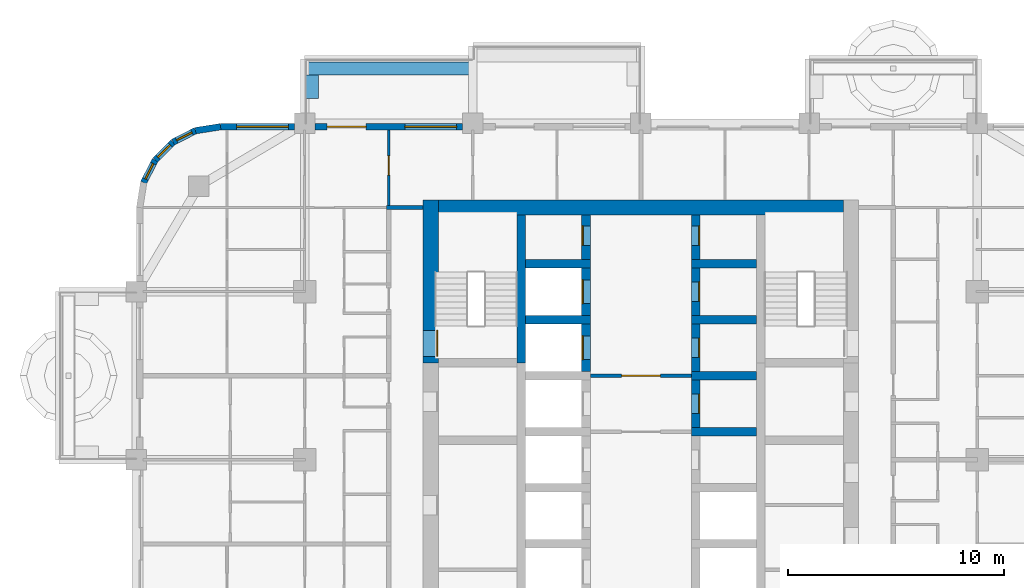
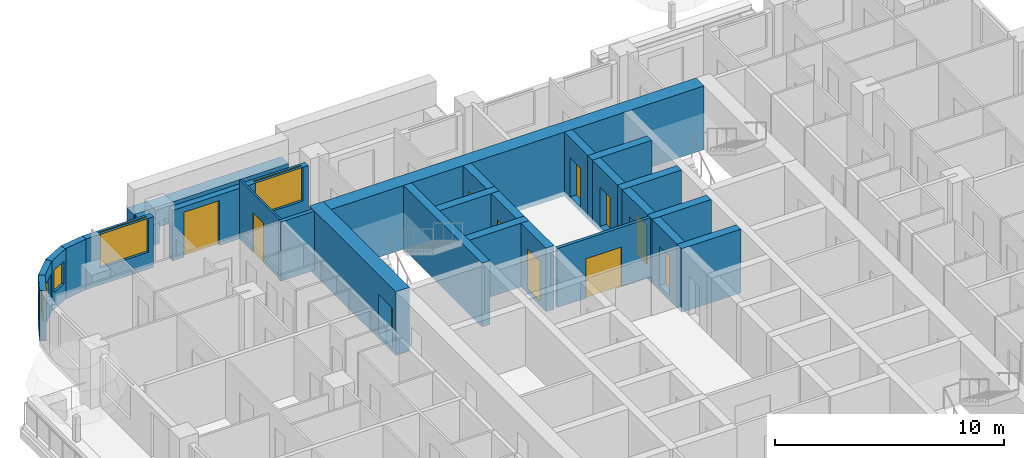
# One storey, part 11 of 19: 27 walls, 11 doors, 5 windows, 16 openings.
"""IFC4 building model written with IfcOpenShell, lengths in metres."""

from ifc_helpers import new_model, si_unit, direction, frame, frame_2d, origin, place, context, subcontext, project, spatial, rectangle, extrude, material, layer, layer_set, type_object, element, fill, save


model = new_model("IFC4")

# Units and contexts
model_context = context("Model", 3, precision=1e-05, world=origin(), true_north=direction((0.0, 1.0)))
body_context = subcontext(model_context, "Body", "Model", "MODEL_VIEW")
ifc_project = project(units=[si_unit("LENGTHUNIT", "METRE"), si_unit("AREAUNIT", "SQUARE_METRE"), si_unit("VOLUMEUNIT", "CUBIC_METRE"), si_unit("PLANEANGLEUNIT", "RADIAN"), si_unit("MASSUNIT", "GRAM", prefix="KILO")], contexts=[model_context])

# Site, building, storey
site_placement = place(None, origin())
site = spatial("IfcSite", under=ifc_project, at=site_placement, CompositionType="ELEMENT")
building_placement = place(site_placement, origin())
building = spatial("IfcBuilding", under=site, at=building_placement, Name="Ludao Terraces", CompositionType="ELEMENT")
storey_placement = place(building_placement, frame((0.0, 0.0, 68.199951171875)))
storey = spatial("IfcBuildingStorey", under=building, at=storey_placement, Name="L18", CompositionType="ELEMENT", Elevation=68.199951171875)

# Wall, opening, door
ifc_material_1 = material(Name="Concrete C70", Category="concrete")
ifc_layer_1 = layer(ifc_material_1, 0.699951171875)
ifc_layer_set_1 = layer_set([ifc_layer_1], Name="Core wall 700 C70")
wall_type_1 = type_object("IfcWallType", Name="Core wall 700 C70", PredefinedType="SOLIDWALL", material=ifc_layer_set_1)
wall_1_placement = place(storey_placement, frame((75.25, 77.300048828125, -0.25), z_axis=(0.0, 0.0, 1.0), x_axis=(0.0, 1.0, 0.0)))
wall_1 = element("IfcWall", 1, at=wall_1_placement, inside=storey, type_object=wall_type_1, Name="Core wall L18 outer-W-S1", PredefinedType="SOLIDWALL", context=body_context, shape_type="SweptSolid", body=[
    extrude(rectangle(XDim=7.550048828125, YDim=0.699951171875, at=frame_2d((3.77490234375, 0.0))), origin(), (0.0, 0.0, 1.0), 3.400146484375),
])
opening_1_placement = place(wall_1_placement, frame((0.300048828125, 0.0, 0.25)))
opening_1 = element("IfcOpeningElement", 2, at=opening_1_placement, cuts=wall_1, Name="Opening R05-135", PredefinedType="OPENING", context=body_context, shape_type="SweptSolid", body=[
    extrude(rectangle(XDim=1.199951171875, YDim=2.10009765625, at=frame_2d((0.60009765625, 1.050048828125))), frame((0.0, 0.35986328125, 0.0), z_axis=(0.0, -1.0, 0.0), x_axis=(1.0, 0.0, 0.0)), (0.0, 0.0, 1.0), 0.719970703125),
])
ifc_material_2 = material(Name="Steel Q235", Category="steel")
door_type_1 = type_object("IfcDoorType", Name="INT Stair door 1200", OperationType="DOUBLE_DOOR_SINGLE_SWING", PredefinedType="DOOR", material=ifc_material_2)
door_1_placement = place(opening_1_placement, origin())
door_1 = element("IfcDoor", 3, at=door_1_placement, inside=storey, type_object=door_type_1, Name="DOOR 135", OperationType="DOUBLE_DOOR_SINGLE_SWING", OverallHeight=2.10009765625, OverallWidth=1.199951171875, PredefinedType="DOOR", context=body_context, shape_type="SweptSolid", body=[
    extrude(rectangle(XDim=1.199951171875, YDim=2.10009765625, at=frame_2d((0.60009765625, 1.050048828125))), frame((0.0, -0.28515625, 0.0), z_axis=(0.0, -1.0, 0.0), x_axis=(1.0, 0.0, 0.0)), (0.0, 0.0, 1.0), 0.050048828125),
])
fill(opening_1, door_1)

# Walls
wall_2_placement = place(storey_placement, frame((75.60009765625, 84.5, -0.25), z_axis=(0.0, 0.0, 1.0), x_axis=(1.0, 0.0, 0.0)))
element("IfcWall", 4, at=wall_2_placement, inside=storey, type_object=wall_type_1, Name="Core wall L18 outer-N", PredefinedType="SOLIDWALL", context=body_context, shape_type="SweptSolid", body=[
    extrude(rectangle(XDim=18.7998046875, YDim=0.699951171875, at=frame_2d((9.39990234375, 0.0))), origin(), (0.0, 0.0, 1.0), 3.400146484375),
])
ifc_material_3 = material(Name="Concrete C40", Category="concrete")
ifc_layer_2 = layer(ifc_material_3, 0.60009765625)
ifc_layer_set_2 = layer_set([ifc_layer_2], Name="ENV Planter trough 600")
wall_type_2 = type_object("IfcWallType", Name="ENV Planter trough 600", PredefinedType="USERDEFINED", material=ifc_layer_set_2)
wall_3_placement = place(storey_placement, frame((69.39990234375, 90.949951171875, 0.0), z_axis=(0.0, 0.0, 1.0), x_axis=(1.0, 0.0, 0.0)))
element("IfcWall", 5, at=wall_3_placement, inside=storey, type_object=wall_type_2, Name="PL-L18-N1", ObjectType="PLANTER", PredefinedType="USERDEFINED", context=body_context, shape_type="SweptSolid", body=[
    extrude(rectangle(XDim=7.800048828125, YDim=0.60009765625, at=frame_2d((3.89990234375, 0.0))), origin(), (0.0, 0.0, 1.0), 1.10009765625),
])
wall_4_placement = place(storey_placement, frame((69.75, 90.64990234375, 0.0), z_axis=(0.0, 0.0, 1.0), x_axis=(0.0, -1.0, 0.0)))
element("IfcWall", 6, at=wall_4_placement, inside=storey, type_object=wall_type_2, Name="PL-L18-N1-SA", ObjectType="PLANTER", PredefinedType="USERDEFINED", context=body_context, shape_type="SweptSolid", body=[
    extrude(rectangle(XDim=1.099853515625, YDim=0.60009765625, at=frame_2d((0.5498046875, 0.0))), origin(), (0.0, 0.0, 1.0), 1.10009765625),
])

# Wall, opening, window
ifc_material_4 = material(Name="Granite cladding", Category="masonry")
ifc_layer_3 = layer(ifc_material_4, 0.0400390625, Category="stone")
ifc_material_5 = material(Name="Mineral wool")
ifc_layer_4 = layer(ifc_material_5, 0.06005859375)
ifc_layer_5 = layer(ifc_material_3, 0.199951171875, Category="concrete")
ifc_layer_set_3 = layer_set([ifc_layer_3, ifc_layer_4, ifc_layer_5], Name="ENV Stone-clad wall 300")
wall_type_3 = type_object("IfcWallType", Name="ENV Stone-clad wall 300", PredefinedType="SOLIDWALL", material=ifc_layer_set_3)
wall_5_placement = place(storey_placement, frame((65.5, 88.25, 0.0), z_axis=(0.0, 0.0, 1.0), x_axis=(1.0, 0.0, 0.0)))
wall_5 = element("IfcWall", 7, at=wall_5_placement, inside=storey, type_object=wall_type_3, Name="EW-L18-N1", PredefinedType="SOLIDWALL", context=body_context, shape_type="SweptSolid", body=[
    extrude(rectangle(XDim=3.425048828125, YDim=0.300048828125, at=frame_2d((1.71240234375, 0.0))), origin(), (0.0, 0.0, 1.0), 2.699951171875),
])
opening_2_placement = place(wall_5_placement, frame((0.75, 0.0, 0.89990234375)))
opening_2 = element("IfcOpeningElement", 8, at=opening_2_placement, cuts=wall_5, Name="Opening W1", PredefinedType="OPENING", context=body_context, shape_type="SweptSolid", body=[
    extrude(rectangle(XDim=2.39990234375, YDim=1.800048828125, at=frame_2d((1.199951171875, 0.89990234375))), frame((0.0, 0.16015625, 0.0), z_axis=(0.0, -1.0, 0.0), x_axis=(1.0, 0.0, 0.0)), (0.0, 0.0, 1.0), 0.320068359375),
])
ifc_material_6 = material(Name="Clear glass in aluminium frame", Category="aluminium")
ifc_layer_6 = layer(ifc_material_6, 0.06005859375)
ifc_layer_set_4 = layer_set([ifc_layer_6], Name="ENV Window W1 2400x1800")
window_type_1 = type_object("IfcWindowType", Name="ENV Window W1 2400x1800", PartitioningType="DOUBLE_PANEL_VERTICAL", PredefinedType="WINDOW", material=ifc_layer_set_4)
window_1_placement = place(opening_2_placement, origin())
window_1 = element("IfcWindow", 9, at=window_1_placement, inside=storey, type_object=window_type_1, Name="W-L18-N1-1", OverallHeight=1.800048828125, OverallWidth=2.39990234375, PartitioningType="DOUBLE_PANEL_VERTICAL", PredefinedType="WINDOW", context=body_context, shape_type="SweptSolid", body=[
    extrude(rectangle(XDim=2.39990234375, YDim=1.800048828125, at=frame_2d((1.199951171875, 0.89990234375))), frame((0.0, 0.030029296875, 0.0), z_axis=(0.0, -1.0, 0.0), x_axis=(1.0, 0.0, 0.0)), (0.0, 0.0, 1.0), 0.06005859375),
])
fill(opening_2, window_1)

# Wall, openings, door, window
wall_6_placement = place(storey_placement, frame((69.875, 88.25, 0.0), z_axis=(0.0, 0.0, 1.0), x_axis=(1.0, 0.0, 0.0)))
wall_6 = element("IfcWall", 10, at=wall_6_placement, inside=storey, type_object=wall_type_3, Name="EW-L18-N2", PredefinedType="SOLIDWALL", context=body_context, shape_type="SweptSolid", body=[
    extrude(rectangle(XDim=6.85009765625, YDim=0.300048828125, at=frame_2d((3.425048828125, 0.0))), origin(), (0.0, 0.0, 1.0), 2.699951171875),
])
opening_3_placement = place(wall_6_placement, frame((0.574951171875, 0.0, 0.0)))
opening_3 = element("IfcOpeningElement", 11, at=opening_3_placement, cuts=wall_6, Name="Opening BD", PredefinedType="OPENING", context=body_context, shape_type="SweptSolid", body=[
    extrude(rectangle(XDim=1.800048828125, YDim=2.39990234375, at=frame_2d((0.89990234375, 1.199951171875))), frame((0.0, 0.16015625, 0.0), z_axis=(0.0, -1.0, 0.0), x_axis=(1.0, 0.0, 0.0)), (0.0, 0.0, 1.0), 0.320068359375),
])
opening_4_placement = place(wall_6_placement, frame((4.175048828125, 0.0, 0.89990234375)))
opening_4 = element("IfcOpeningElement", 12, at=opening_4_placement, cuts=wall_6, Name="Opening W1", PredefinedType="OPENING", context=body_context, shape_type="SweptSolid", body=[
    extrude(rectangle(XDim=2.39990234375, YDim=1.800048828125, at=frame_2d((1.199951171875, 0.89990234375))), frame((0.0, 0.16015625, 0.0), z_axis=(0.0, -1.0, 0.0), x_axis=(1.0, 0.0, 0.0)), (0.0, 0.0, 1.0), 0.320068359375),
])
ifc_material_7 = material(Name="Aluminium glazed door", Category="aluminium")
ifc_layer_7 = layer(ifc_material_7, 0.06005859375)
ifc_layer_set_5 = layer_set([ifc_layer_7], Name="ENV Balcony door BD 1800x2400")
door_type_2 = type_object("IfcDoorType", Name="ENV Balcony door BD 1800x2400", OperationType="DOUBLE_DOOR_SINGLE_SWING", PredefinedType="DOOR", material=ifc_layer_set_5)
door_2_placement = place(opening_3_placement, origin())
door_2 = element("IfcDoor", 13, at=door_2_placement, inside=storey, type_object=door_type_2, Name="BD-L18-N2-1", OperationType="DOUBLE_DOOR_SINGLE_SWING", OverallHeight=2.39990234375, OverallWidth=1.800048828125, PredefinedType="DOOR", context=body_context, shape_type="SweptSolid", body=[
    extrude(rectangle(XDim=1.800048828125, YDim=2.39990234375, at=frame_2d((0.89990234375, 1.199951171875))), frame((0.0, 0.02490234375, 0.0), z_axis=(0.0, -1.0, 0.0), x_axis=(1.0, 0.0, 0.0)), (0.0, 0.0, 1.0), 0.050048828125),
])
fill(opening_3, door_2)
window_2_placement = place(opening_4_placement, origin())
window_2 = element("IfcWindow", 14, at=window_2_placement, inside=storey, type_object=window_type_1, Name="W-L18-N2-2", OverallHeight=1.800048828125, OverallWidth=2.39990234375, PartitioningType="DOUBLE_PANEL_VERTICAL", PredefinedType="WINDOW", context=body_context, shape_type="SweptSolid", body=[
    extrude(rectangle(XDim=2.39990234375, YDim=1.800048828125, at=frame_2d((1.199951171875, 0.89990234375))), frame((0.0, 0.030029296875, 0.0), z_axis=(0.0, -1.0, 0.0), x_axis=(1.0, 0.0, 0.0)), (0.0, 0.0, 1.0), 0.06005859375),
])
fill(opening_4, window_2)

# Wall
wall_7_placement = place(storey_placement, frame((65.5, 88.25, 0.0), z_axis=(0.0, 0.0, 1.0), x_axis=(-0.987678452879, -0.156496880861, 0.0)))
element("IfcWall", 15, at=wall_7_placement, inside=storey, type_object=wall_type_3, Name="EW-L18-NW1", PredefinedType="SOLIDWALL", context=body_context, shape_type="SweptSolid", body=[
    extrude(rectangle(XDim=1.173095703125, YDim=0.300048828125, at=frame_2d((0.58642578125, 0.0))), origin(), (0.0, 0.0, 1.0), 2.699951171875),
])

# Wall, opening, window
wall_8_placement = place(storey_placement, frame((64.34130859375, 88.06640625, 0.0), z_axis=(0.0, 0.0, 1.0), x_axis=(-0.890988677504, -0.454025524128, 0.0)))
wall_8 = element("IfcWall", 16, at=wall_8_placement, inside=storey, type_object=wall_type_3, Name="EW-L18-NW2", PredefinedType="SOLIDWALL", context=body_context, shape_type="SweptSolid", body=[
    extrude(rectangle(XDim=1.17333984375, YDim=0.300048828125, at=frame_2d((0.586669921875, 0.0))), origin(), (0.0, 0.0, 1.0), 2.699951171875),
])
opening_5_placement = place(wall_8_placement, frame((0.1865234375, 0.0, 0.89990234375)))
opening_5 = element("IfcOpeningElement", 17, at=opening_5_placement, cuts=wall_8, Name="Opening W3", PredefinedType="OPENING", context=body_context, shape_type="SweptSolid", body=[
    extrude(rectangle(XDim=0.800048828125, YDim=1.199951171875, at=frame_2d((0.39990234375, 0.60009765625))), frame((0.0, 0.16015625, 0.0), z_axis=(0.0, -1.0, 0.0), x_axis=(1.0, 0.0, 0.0)), (0.0, 0.0, 1.0), 0.320068359375),
])
ifc_layer_8 = layer(ifc_material_6, 0.06005859375)
ifc_layer_set_6 = layer_set([ifc_layer_8], Name="ENV Window W3 800x1200")
window_type_2 = type_object("IfcWindowType", Name="ENV Window W3 800x1200", PartitioningType="SINGLE_PANEL", PredefinedType="WINDOW", material=ifc_layer_set_6)
window_3_placement = place(opening_5_placement, origin())
window_3 = element("IfcWindow", 18, at=window_3_placement, inside=storey, type_object=window_type_2, Name="W-L18-NW2", OverallHeight=1.199951171875, OverallWidth=0.800048828125, PartitioningType="SINGLE_PANEL", PredefinedType="WINDOW", context=body_context, shape_type="SweptSolid", body=[
    extrude(rectangle(XDim=0.800048828125, YDim=1.199951171875, at=frame_2d((0.39990234375, 0.60009765625))), frame((0.0, 0.030029296875, 0.0), z_axis=(0.0, -1.0, 0.0), x_axis=(1.0, 0.0, 0.0)), (0.0, 0.0, 1.0), 0.06005859375),
])
fill(opening_5, window_3)

wall_9_placement = place(storey_placement, frame((63.2958984375, 87.53369140625, 0.0), z_axis=(0.0, 0.0, 1.0), x_axis=(-0.707106781187, -0.707106781187, 0.0)))
wall_9 = element("IfcWall", 19, at=wall_9_placement, inside=storey, type_object=wall_type_3, Name="EW-L18-NW3", PredefinedType="SOLIDWALL", context=body_context, shape_type="SweptSolid", body=[
    extrude(rectangle(XDim=1.173095703125, YDim=0.300048828125, at=frame_2d((0.58642578125, 0.0))), origin(), (0.0, 0.0, 1.0), 2.699951171875),
])
opening_6_placement = place(wall_9_placement, frame((0.1865234375, 0.0, 0.89990234375)))
opening_6 = element("IfcOpeningElement", 20, at=opening_6_placement, cuts=wall_9, Name="Opening W3", PredefinedType="OPENING", context=body_context, shape_type="SweptSolid", body=[
    extrude(rectangle(XDim=0.800048828125, YDim=1.199951171875, at=frame_2d((0.39990234375, 0.60009765625))), frame((0.0, 0.16015625, 0.0), z_axis=(0.0, -1.0, 0.0), x_axis=(1.0, 0.0, 0.0)), (0.0, 0.0, 1.0), 0.320068359375),
])
window_4_placement = place(opening_6_placement, origin())
window_4 = element("IfcWindow", 21, at=window_4_placement, inside=storey, type_object=window_type_2, Name="W-L18-NW3", OverallHeight=1.199951171875, OverallWidth=0.800048828125, PartitioningType="SINGLE_PANEL", PredefinedType="WINDOW", context=body_context, shape_type="SweptSolid", body=[
    extrude(rectangle(XDim=0.800048828125, YDim=1.199951171875, at=frame_2d((0.39990234375, 0.60009765625))), frame((0.0, 0.030029296875, 0.0), z_axis=(0.0, -1.0, 0.0), x_axis=(1.0, 0.0, 0.0)), (0.0, 0.0, 1.0), 0.06005859375),
])
fill(opening_6, window_4)

wall_10_placement = place(storey_placement, frame((62.46630859375, 86.7041015625, 0.0), z_axis=(0.0, 0.0, 1.0), x_axis=(-0.454025524128, -0.890988677504, 0.0)))
wall_10 = element("IfcWall", 22, at=wall_10_placement, inside=storey, type_object=wall_type_3, Name="EW-L18-NW4", PredefinedType="SOLIDWALL", context=body_context, shape_type="SweptSolid", body=[
    extrude(rectangle(XDim=1.17333984375, YDim=0.300048828125, at=frame_2d((0.586669921875, 0.0))), origin(), (0.0, 0.0, 1.0), 2.699951171875),
])
opening_7_placement = place(wall_10_placement, frame((0.1865234375, 0.0, 0.89990234375)))
opening_7 = element("IfcOpeningElement", 23, at=opening_7_placement, cuts=wall_10, Name="Opening W3", PredefinedType="OPENING", context=body_context, shape_type="SweptSolid", body=[
    extrude(rectangle(XDim=0.800048828125, YDim=1.199951171875, at=frame_2d((0.39990234375, 0.60009765625))), frame((0.0, 0.16015625, 0.0), z_axis=(0.0, -1.0, 0.0), x_axis=(1.0, 0.0, 0.0)), (0.0, 0.0, 1.0), 0.320068359375),
])
window_5_placement = place(opening_7_placement, origin())
window_5 = element("IfcWindow", 24, at=window_5_placement, inside=storey, type_object=window_type_2, Name="W-L18-NW4", OverallHeight=1.199951171875, OverallWidth=0.800048828125, PartitioningType="SINGLE_PANEL", PredefinedType="WINDOW", context=body_context, shape_type="SweptSolid", body=[
    extrude(rectangle(XDim=0.800048828125, YDim=1.199951171875, at=frame_2d((0.39990234375, 0.60009765625))), frame((0.0, 0.030029296875, 0.0), z_axis=(0.0, -1.0, 0.0), x_axis=(1.0, 0.0, 0.0)), (0.0, 0.0, 1.0), 0.06005859375),
])
fill(opening_7, window_5)

# Wall, opening, door
ifc_material_8 = material(Name="Fire-rated gypsum plasterboard", Category="gypsum")
ifc_layer_9 = layer(ifc_material_8, 0.012451171875, Category="gypsum")
ifc_layer_10 = layer(ifc_material_5, 0.10009765625, Name="insulation")
ifc_layer_11 = layer(ifc_material_2, 0.02490234375, Name="stud")
ifc_layer_12 = layer(ifc_material_8, 0.012451171875, Category="gypsum")
ifc_layer_set_7 = layer_set([ifc_layer_9, ifc_layer_10, ifc_layer_11, ifc_layer_12], Name="INT Core partition 150")
wall_type_4 = type_object("IfcWallType", Name="INT Core partition 150", PredefinedType="PARTITIONING", material=ifc_layer_set_7)
wall_11_placement = place(storey_placement, frame((82.650146484375, 76.699951171875, 0.0), z_axis=(0.0, 0.0, 1.0), x_axis=(1.0, 0.0, 0.0)))
wall_11 = element("IfcWall", 25, at=wall_11_placement, inside=storey, type_object=wall_type_4, Name="PW-L18-PW065", PredefinedType="PARTITIONING", context=body_context, shape_type="SweptSolid", body=[
    extrude(rectangle(XDim=4.699951171875, YDim=0.14990234375, at=frame_2d((2.35009765625, 0.0))), origin(), (0.0, 0.0, 1.0), 3.150146484375),
])
opening_8_placement = place(wall_11_placement, frame((1.449951171875, 0.0, 0.0)))
opening_8 = element("IfcOpeningElement", 26, at=opening_8_placement, cuts=wall_11, Name="Opening R05-130", PredefinedType="OPENING", context=body_context, shape_type="SweptSolid", body=[
    extrude(rectangle(XDim=1.800048828125, YDim=2.10009765625, at=frame_2d((0.89990234375, 1.050048828125))), frame((0.0, 0.0849609375, 0.0), z_axis=(0.0, -1.0, 0.0), x_axis=(1.0, 0.0, 0.0)), (0.0, 0.0, 1.0), 0.169921875),
])
door_type_3 = type_object("IfcDoorType", Name="INT Fire lobby door 1800", OperationType="DOUBLE_DOOR_SINGLE_SWING", PredefinedType="DOOR", material=ifc_material_2)
door_3_placement = place(opening_8_placement, origin())
door_3 = element("IfcDoor", 27, at=door_3_placement, inside=storey, type_object=door_type_3, Name="DOOR 130", OperationType="DOUBLE_DOOR_SINGLE_SWING", OverallHeight=2.10009765625, OverallWidth=1.800048828125, PredefinedType="DOOR", context=body_context, shape_type="SweptSolid", body=[
    extrude(rectangle(XDim=1.800048828125, YDim=2.10009765625, at=frame_2d((0.89990234375, 1.050048828125))), frame((0.0, 0.02490234375, 0.0), z_axis=(0.0, -1.0, 0.0), x_axis=(1.0, 0.0, 0.0)), (0.0, 0.0, 1.0), 0.050048828125),
])
fill(opening_8, door_3)

# Wall
ifc_material_9 = material(Name="Autoclaved aerated concrete block B06 A3.5", Category="concrete")
ifc_layer_13 = layer(ifc_material_9, 0.199951171875)
ifc_layer_set_8 = layer_set([ifc_layer_13], Name="INT Entrance wall 200")
wall_type_5 = type_object("IfcWallType", Name="INT Entrance wall 200", PredefinedType="PARTITIONING", material=ifc_layer_set_8)
wall_12_placement = place(storey_placement, frame((73.2001953125, 84.5, 0.0), z_axis=(0.0, 0.0, 1.0), x_axis=(1.0, 0.0, 0.0)))
element("IfcWall", 28, at=wall_12_placement, inside=storey, type_object=wall_type_5, Name="PW-L18-PW078", PredefinedType="PARTITIONING", context=body_context, shape_type="SweptSolid", body=[
    extrude(rectangle(XDim=1.699951171875, YDim=0.199951171875, at=frame_2d((0.85009765625, 0.0))), origin(), (0.0, 0.0, 1.0), 3.150146484375),
])

# Wall, opening, door
ifc_material_10 = material(Name="Gypsum plasterboard", Category="gypsum")
ifc_layer_14 = layer(ifc_material_10, 0.012451171875, Category="gypsum")
ifc_layer_15 = layer(ifc_material_5, 0.06005859375, Name="insulation")
ifc_layer_16 = layer(ifc_material_2, 0.014892578125, Name="stud")
ifc_layer_17 = layer(ifc_material_10, 0.012451171875, Category="gypsum")
ifc_layer_set_9 = layer_set([ifc_layer_14, ifc_layer_15, ifc_layer_16, ifc_layer_17], Name="INT Partition 100")
wall_type_6 = type_object("IfcWallType", Name="INT Partition 100", PredefinedType="PARTITIONING", material=ifc_layer_set_9)
wall_13_placement = place(storey_placement, frame((73.300048828125, 84.60009765625, 0.0), z_axis=(0.0, 0.0, 1.0), x_axis=(0.0, 1.0, 0.0)))
wall_13 = element("IfcWall", 29, at=wall_13_placement, inside=storey, type_object=wall_type_6, Name="PW-L18-PW093", PredefinedType="PARTITIONING", context=body_context, shape_type="SweptSolid", body=[
    extrude(rectangle(XDim=3.5, YDim=0.10009765625, at=frame_2d((1.75, 0.0))), origin(), (0.0, 0.0, 1.0), 3.150146484375),
])
opening_9_placement = place(wall_13_placement, frame((1.39990234375, 0.0, 0.0)))
opening_9 = element("IfcOpeningElement", 30, at=opening_9_placement, cuts=wall_13, Name="Opening R05-161", PredefinedType="OPENING", context=body_context, shape_type="SweptSolid", body=[
    extrude(rectangle(XDim=0.89990234375, YDim=2.10009765625, at=frame_2d((0.449951171875, 1.050048828125))), frame((0.0, 0.06005859375, 0.0), z_axis=(0.0, -1.0, 0.0), x_axis=(1.0, 0.0, 0.0)), (0.0, 0.0, 1.0), 0.1201171875),
])
ifc_material_11 = material(Name="Timber door leaf", Category="wood")
door_type_4 = type_object("IfcDoorType", Name="INT Room door 900", OperationType="SINGLE_SWING_LEFT", PredefinedType="DOOR", material=ifc_material_11)
door_4_placement = place(opening_9_placement, origin())
door_4 = element("IfcDoor", 31, at=door_4_placement, inside=storey, type_object=door_type_4, Name="DOOR 161", OperationType="SINGLE_SWING_LEFT", OverallHeight=2.10009765625, OverallWidth=0.89990234375, PredefinedType="DOOR", context=body_context, shape_type="SweptSolid", body=[
    extrude(rectangle(XDim=0.89990234375, YDim=2.10009765625, at=frame_2d((0.449951171875, 1.050048828125))), frame((0.0, 0.02490234375, 0.0), z_axis=(0.0, -1.0, 0.0), x_axis=(1.0, 0.0, 0.0)), (0.0, 0.0, 1.0), 0.050048828125),
])
fill(opening_9, door_4)

# Wall
ifc_material_12 = material(Name="Concrete C60", Category="concrete")
ifc_layer_18 = layer(ifc_material_12, 0.39990234375)
ifc_layer_set_10 = layer_set([ifc_layer_18], Name="Shaft wall 400 C60")
wall_type_7 = type_object("IfcWallType", Name="Shaft wall 400 C60", PredefinedType="SOLIDWALL", material=ifc_layer_set_10)
wall_14_placement = place(storey_placement, frame((79.449951171875, 77.300048828125, -0.25), z_axis=(0.0, 0.0, 1.0), x_axis=(0.0, 1.0, 0.0)))
element("IfcWall", 32, at=wall_14_placement, inside=storey, type_object=wall_type_7, Name="Core wall L18 back-W-S1", PredefinedType="SOLIDWALL", context=body_context, shape_type="SweptSolid", body=[
    extrude(rectangle(XDim=6.849853515625, YDim=0.39990234375, at=frame_2d((3.4248046875, 0.0))), origin(), (0.0, 0.0, 1.0), 3.400146484375),
])

# Wall, opening, door
wall_15_placement = place(storey_placement, frame((82.449951171875, 76.89990234375, -0.25), z_axis=(0.0, 0.0, 1.0), x_axis=(0.0, 1.0, 0.0)))
wall_15 = element("IfcWall", 33, at=wall_15_placement, inside=storey, type_object=wall_type_7, Name="Core wall L18 front-W7", PredefinedType="SOLIDWALL", context=body_context, shape_type="SweptSolid", body=[
    extrude(rectangle(XDim=2.2001953125, YDim=0.39990234375, at=frame_2d((1.10009765625, 0.0))), origin(), (0.0, 0.0, 1.0), 3.400146484375),
])
opening_10_placement = place(wall_15_placement, frame((0.550048828125, 0.0, 0.25)))
opening_10 = element("IfcOpeningElement", 34, at=opening_10_placement, cuts=wall_15, Name="Opening LD-FF1", PredefinedType="OPENING", context=body_context, shape_type="SweptSolid", body=[
    extrude(rectangle(XDim=1.10009765625, YDim=2.10009765625, at=frame_2d((0.550048828125, 1.050048828125))), frame((0.0, 0.2099609375, 0.0), z_axis=(0.0, -1.0, 0.0), x_axis=(1.0, 0.0, 0.0)), (0.0, 0.0, 1.0), 0.419921875),
])
ifc_material_13 = material(Name="Stainless steel 304", Category="steel")
door_type_5 = type_object("IfcDoorType", Name="INT Lift landing door 1100", OperationType="SLIDING_TO_LEFT", PredefinedType="DOOR", material=ifc_material_13)
door_5_placement = place(opening_10_placement, origin())
door_5 = element("IfcDoor", 35, at=door_5_placement, inside=storey, type_object=door_type_5, Name="LANDING DOOR FF1 L18", OperationType="SLIDING_TO_LEFT", OverallHeight=2.10009765625, OverallWidth=1.10009765625, PredefinedType="DOOR", context=body_context, shape_type="SweptSolid", body=[
    extrude(rectangle(XDim=1.10009765625, YDim=2.10009765625, at=frame_2d((0.550048828125, 1.050048828125))), frame((0.0, 0.18505859375, 0.0), z_axis=(0.0, -1.0, 0.0), x_axis=(1.0, 0.0, 0.0)), (0.0, 0.0, 1.0), 0.050048828125),
])
fill(opening_10, door_5)

# Wall
wall_16_placement = place(storey_placement, frame((79.64990234375, 79.300048828125, -0.25), z_axis=(0.0, 0.0, 1.0), x_axis=(1.0, 0.0, 0.0)))
element("IfcWall", 36, at=wall_16_placement, inside=storey, type_object=wall_type_7, Name="Core wall L18 div-W8", PredefinedType="SOLIDWALL", context=body_context, shape_type="SweptSolid", body=[
    extrude(rectangle(XDim=3.0, YDim=0.39990234375, at=frame_2d((1.5, 0.0))), origin(), (0.0, 0.0, 1.0), 3.400146484375),
])

# Wall, opening, door
wall_17_placement = place(storey_placement, frame((82.449951171875, 79.5, -0.25), z_axis=(0.0, 0.0, 1.0), x_axis=(0.0, 1.0, 0.0)))
wall_17 = element("IfcWall", 37, at=wall_17_placement, inside=storey, type_object=wall_type_7, Name="Core wall L18 front-W8", PredefinedType="SOLIDWALL", context=body_context, shape_type="SweptSolid", body=[
    extrude(rectangle(XDim=2.199951171875, YDim=0.39990234375, at=frame_2d((1.10009765625, 0.0))), origin(), (0.0, 0.0, 1.0), 3.400146484375),
])
opening_11_placement = place(wall_17_placement, frame((0.550048828125, 0.0, 0.25)))
opening_11 = element("IfcOpeningElement", 38, at=opening_11_placement, cuts=wall_17, Name="Opening LD-FF2", PredefinedType="OPENING", context=body_context, shape_type="SweptSolid", body=[
    extrude(rectangle(XDim=1.10009765625, YDim=2.10009765625, at=frame_2d((0.550048828125, 1.050048828125))), frame((0.0, 0.2099609375, 0.0), z_axis=(0.0, -1.0, 0.0), x_axis=(1.0, 0.0, 0.0)), (0.0, 0.0, 1.0), 0.419921875),
])
door_6_placement = place(opening_11_placement, origin())
door_6 = element("IfcDoor", 39, at=door_6_placement, inside=storey, type_object=door_type_5, Name="LANDING DOOR FF2 L18", OperationType="SLIDING_TO_LEFT", OverallHeight=2.10009765625, OverallWidth=1.10009765625, PredefinedType="DOOR", context=body_context, shape_type="SweptSolid", body=[
    extrude(rectangle(XDim=1.10009765625, YDim=2.10009765625, at=frame_2d((0.550048828125, 1.050048828125))), frame((0.0, 0.18505859375, 0.0), z_axis=(0.0, -1.0, 0.0), x_axis=(1.0, 0.0, 0.0)), (0.0, 0.0, 1.0), 0.050048828125),
])
fill(opening_11, door_6)

# Wall
wall_18_placement = place(storey_placement, frame((79.64990234375, 81.89990234375, -0.25), z_axis=(0.0, 0.0, 1.0), x_axis=(1.0, 0.0, 0.0)))
element("IfcWall", 40, at=wall_18_placement, inside=storey, type_object=wall_type_7, Name="Core wall L18 div-W9", PredefinedType="SOLIDWALL", context=body_context, shape_type="SweptSolid", body=[
    extrude(rectangle(XDim=3.0, YDim=0.39990234375, at=frame_2d((1.5, 0.0))), origin(), (0.0, 0.0, 1.0), 3.400146484375),
])

# Wall, opening, door
wall_19_placement = place(storey_placement, frame((82.449951171875, 82.10009765625, -0.25), z_axis=(0.0, 0.0, 1.0), x_axis=(0.0, 1.0, 0.0)))
wall_19 = element("IfcWall", 41, at=wall_19_placement, inside=storey, type_object=wall_type_7, Name="Core wall L18 front-W9", PredefinedType="SOLIDWALL", context=body_context, shape_type="SweptSolid", body=[
    extrude(rectangle(XDim=2.0498046875, YDim=0.39990234375, at=frame_2d((1.02490234375, 0.0))), origin(), (0.0, 0.0, 1.0), 3.400146484375),
])
opening_12_placement = place(wall_19_placement, frame((0.64990234375, 0.0, 0.25)))
opening_12 = element("IfcOpeningElement", 42, at=opening_12_placement, cuts=wall_19, Name="Opening R05-149", PredefinedType="OPENING", context=body_context, shape_type="SweptSolid", body=[
    extrude(rectangle(XDim=0.89990234375, YDim=2.10009765625, at=frame_2d((0.449951171875, 1.050048828125))), frame((0.0, 0.2099609375, 0.0), z_axis=(0.0, -1.0, 0.0), x_axis=(1.0, 0.0, 0.0)), (0.0, 0.0, 1.0), 0.419921875),
])
door_7_placement = place(opening_12_placement, origin())
door_7 = element("IfcDoor", 43, at=door_7_placement, inside=storey, type_object=door_type_4, Name="DOOR 149", OperationType="SINGLE_SWING_RIGHT", OverallHeight=2.10009765625, OverallWidth=0.89990234375, PredefinedType="DOOR", context=body_context, shape_type="SweptSolid", body=[
    extrude(rectangle(XDim=0.89990234375, YDim=2.10009765625, at=frame_2d((0.449951171875, 1.050048828125))), frame((0.0, 0.18505859375, 0.0), z_axis=(0.0, -1.0, 0.0), x_axis=(1.0, 0.0, 0.0)), (0.0, 0.0, 1.0), 0.050048828125),
])
fill(opening_12, door_7)

# Wall
wall_20_placement = place(storey_placement, frame((87.35009765625, 74.10009765625, -0.25), z_axis=(0.0, 0.0, 1.0), x_axis=(1.0, 0.0, 0.0)))
element("IfcWall", 44, at=wall_20_placement, inside=storey, type_object=wall_type_7, Name="Core wall L18 div-E6", PredefinedType="SOLIDWALL", context=body_context, shape_type="SweptSolid", body=[
    extrude(rectangle(XDim=3.0, YDim=0.39990234375, at=frame_2d((1.5, 0.0))), origin(), (0.0, 0.0, 1.0), 3.400146484375),
])

# Wall, opening, door
wall_21_placement = place(storey_placement, frame((87.550048828125, 74.300048828125, -0.25), z_axis=(0.0, 0.0, 1.0), x_axis=(0.0, 1.0, 0.0)))
wall_21 = element("IfcWall", 45, at=wall_21_placement, inside=storey, type_object=wall_type_7, Name="Core wall L18 front-E6", PredefinedType="SOLIDWALL", context=body_context, shape_type="SweptSolid", body=[
    extrude(rectangle(XDim=2.199951171875, YDim=0.39990234375, at=frame_2d((1.10009765625, 0.0))), origin(), (0.0, 0.0, 1.0), 3.400146484375),
])
opening_13_placement = place(wall_21_placement, frame((0.64990234375, 0.0, 0.25)))
opening_13 = element("IfcOpeningElement", 46, at=opening_13_placement, cuts=wall_21, Name="Opening R05-122", PredefinedType="OPENING", context=body_context, shape_type="SweptSolid", body=[
    extrude(rectangle(XDim=0.89990234375, YDim=2.10009765625, at=frame_2d((0.449951171875, 1.050048828125))), frame((0.0, 0.2099609375, 0.0), z_axis=(0.0, -1.0, 0.0), x_axis=(1.0, 0.0, 0.0)), (0.0, 0.0, 1.0), 0.419921875),
])
door_8_placement = place(opening_13_placement, origin())
door_8 = element("IfcDoor", 47, at=door_8_placement, inside=storey, type_object=door_type_4, Name="DOOR 122", OperationType="SINGLE_SWING_RIGHT", OverallHeight=2.10009765625, OverallWidth=0.89990234375, PredefinedType="DOOR", context=body_context, shape_type="SweptSolid", body=[
    extrude(rectangle(XDim=0.89990234375, YDim=2.10009765625, at=frame_2d((0.449951171875, 1.050048828125))), frame((0.0, -0.134765625, 0.0), z_axis=(0.0, -1.0, 0.0), x_axis=(1.0, 0.0, 0.0)), (0.0, 0.0, 1.0), 0.050048828125),
])
fill(opening_13, door_8)

# Wall
wall_22_placement = place(storey_placement, frame((87.35009765625, 76.699951171875, -0.25), z_axis=(0.0, 0.0, 1.0), x_axis=(1.0, 0.0, 0.0)))
element("IfcWall", 48, at=wall_22_placement, inside=storey, type_object=wall_type_7, Name="Core wall L18 div-E7", PredefinedType="SOLIDWALL", context=body_context, shape_type="SweptSolid", body=[
    extrude(rectangle(XDim=3.0, YDim=0.39990234375, at=frame_2d((1.5, 0.0))), origin(), (0.0, 0.0, 1.0), 3.400146484375),
])

# Wall, opening, door
wall_23_placement = place(storey_placement, frame((87.550048828125, 76.89990234375, -0.25), z_axis=(0.0, 0.0, 1.0), x_axis=(0.0, 1.0, 0.0)))
wall_23 = element("IfcWall", 49, at=wall_23_placement, inside=storey, type_object=wall_type_7, Name="Core wall L18 front-E7", PredefinedType="SOLIDWALL", context=body_context, shape_type="SweptSolid", body=[
    extrude(rectangle(XDim=2.2001953125, YDim=0.39990234375, at=frame_2d((1.10009765625, 0.0))), origin(), (0.0, 0.0, 1.0), 3.400146484375),
])
opening_14_placement = place(wall_23_placement, frame((0.64990234375, 0.0, 0.25)))
opening_14 = element("IfcOpeningElement", 50, at=opening_14_placement, cuts=wall_23, Name="Opening R05-134", PredefinedType="OPENING", context=body_context, shape_type="SweptSolid", body=[
    extrude(rectangle(XDim=0.89990234375, YDim=2.10009765625, at=frame_2d((0.449951171875, 1.050048828125))), frame((0.0, 0.2099609375, 0.0), z_axis=(0.0, -1.0, 0.0), x_axis=(1.0, 0.0, 0.0)), (0.0, 0.0, 1.0), 0.419921875),
])
door_9_placement = place(opening_14_placement, origin())
door_9 = element("IfcDoor", 51, at=door_9_placement, inside=storey, type_object=door_type_4, Name="DOOR 134", OperationType="SINGLE_SWING_RIGHT", OverallHeight=2.10009765625, OverallWidth=0.89990234375, PredefinedType="DOOR", context=body_context, shape_type="SweptSolid", body=[
    extrude(rectangle(XDim=0.89990234375, YDim=2.10009765625, at=frame_2d((0.449951171875, 1.050048828125))), frame((0.0, -0.134765625, 0.0), z_axis=(0.0, -1.0, 0.0), x_axis=(1.0, 0.0, 0.0)), (0.0, 0.0, 1.0), 0.050048828125),
])
fill(opening_14, door_9)

# Wall
wall_24_placement = place(storey_placement, frame((87.35009765625, 79.300048828125, -0.25), z_axis=(0.0, 0.0, 1.0), x_axis=(1.0, 0.0, 0.0)))
element("IfcWall", 52, at=wall_24_placement, inside=storey, type_object=wall_type_7, Name="Core wall L18 div-E8", PredefinedType="SOLIDWALL", context=body_context, shape_type="SweptSolid", body=[
    extrude(rectangle(XDim=3.0, YDim=0.39990234375, at=frame_2d((1.5, 0.0))), origin(), (0.0, 0.0, 1.0), 3.400146484375),
])

# Wall, opening, door
wall_25_placement = place(storey_placement, frame((87.550048828125, 79.5, -0.25), z_axis=(0.0, 0.0, 1.0), x_axis=(0.0, 1.0, 0.0)))
wall_25 = element("IfcWall", 53, at=wall_25_placement, inside=storey, type_object=wall_type_7, Name="Core wall L18 front-E8", PredefinedType="SOLIDWALL", context=body_context, shape_type="SweptSolid", body=[
    extrude(rectangle(XDim=2.199951171875, YDim=0.39990234375, at=frame_2d((1.10009765625, 0.0))), origin(), (0.0, 0.0, 1.0), 3.400146484375),
])
opening_15_placement = place(wall_25_placement, frame((0.64990234375, 0.0, 0.25)))
opening_15 = element("IfcOpeningElement", 54, at=opening_15_placement, cuts=wall_25, Name="Opening R05-144", PredefinedType="OPENING", context=body_context, shape_type="SweptSolid", body=[
    extrude(rectangle(XDim=0.89990234375, YDim=2.10009765625, at=frame_2d((0.449951171875, 1.050048828125))), frame((0.0, 0.2099609375, 0.0), z_axis=(0.0, -1.0, 0.0), x_axis=(1.0, 0.0, 0.0)), (0.0, 0.0, 1.0), 0.419921875),
])
door_10_placement = place(opening_15_placement, origin())
door_10 = element("IfcDoor", 55, at=door_10_placement, inside=storey, type_object=door_type_4, Name="DOOR 144", OperationType="SINGLE_SWING_LEFT", OverallHeight=2.10009765625, OverallWidth=0.89990234375, PredefinedType="DOOR", context=body_context, shape_type="SweptSolid", body=[
    extrude(rectangle(XDim=0.89990234375, YDim=2.10009765625, at=frame_2d((0.449951171875, 1.050048828125))), frame((0.0, -0.134765625, 0.0), z_axis=(0.0, -1.0, 0.0), x_axis=(1.0, 0.0, 0.0)), (0.0, 0.0, 1.0), 0.050048828125),
])
fill(opening_15, door_10)

# Wall
wall_26_placement = place(storey_placement, frame((87.35009765625, 81.89990234375, -0.25), z_axis=(0.0, 0.0, 1.0), x_axis=(1.0, 0.0, 0.0)))
element("IfcWall", 56, at=wall_26_placement, inside=storey, type_object=wall_type_7, Name="Core wall L18 div-E9", PredefinedType="SOLIDWALL", context=body_context, shape_type="SweptSolid", body=[
    extrude(rectangle(XDim=3.0, YDim=0.39990234375, at=frame_2d((1.5, 0.0))), origin(), (0.0, 0.0, 1.0), 3.400146484375),
])

# Wall, opening, door
wall_27_placement = place(storey_placement, frame((87.550048828125, 82.10009765625, -0.25), z_axis=(0.0, 0.0, 1.0), x_axis=(0.0, 1.0, 0.0)))
wall_27 = element("IfcWall", 57, at=wall_27_placement, inside=storey, type_object=wall_type_7, Name="Core wall L18 front-E9", PredefinedType="SOLIDWALL", context=body_context, shape_type="SweptSolid", body=[
    extrude(rectangle(XDim=2.0498046875, YDim=0.39990234375, at=frame_2d((1.02490234375, 0.0))), origin(), (0.0, 0.0, 1.0), 3.400146484375),
])
opening_16_placement = place(wall_27_placement, frame((0.64990234375, 0.0, 0.25)))
opening_16 = element("IfcOpeningElement", 58, at=opening_16_placement, cuts=wall_27, Name="Opening R05-150", PredefinedType="OPENING", context=body_context, shape_type="SweptSolid", body=[
    extrude(rectangle(XDim=0.89990234375, YDim=2.10009765625, at=frame_2d((0.449951171875, 1.050048828125))), frame((0.0, 0.2099609375, 0.0), z_axis=(0.0, -1.0, 0.0), x_axis=(1.0, 0.0, 0.0)), (0.0, 0.0, 1.0), 0.419921875),
])
door_11_placement = place(opening_16_placement, origin())
door_11 = element("IfcDoor", 59, at=door_11_placement, inside=storey, type_object=door_type_4, Name="DOOR 150", OperationType="SINGLE_SWING_LEFT", OverallHeight=2.10009765625, OverallWidth=0.89990234375, PredefinedType="DOOR", context=body_context, shape_type="SweptSolid", body=[
    extrude(rectangle(XDim=0.89990234375, YDim=2.10009765625, at=frame_2d((0.449951171875, 1.050048828125))), frame((0.0, -0.134765625, 0.0), z_axis=(0.0, -1.0, 0.0), x_axis=(1.0, 0.0, 0.0)), (0.0, 0.0, 1.0), 0.050048828125),
])
fill(opening_16, door_11)

save(model, "model.ifc")
